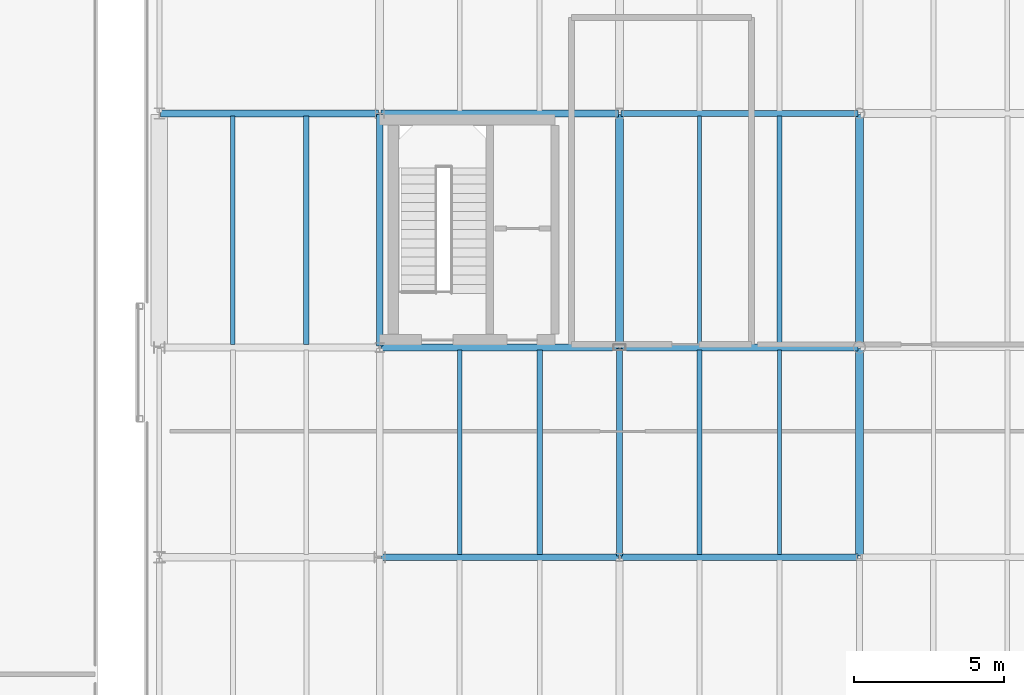
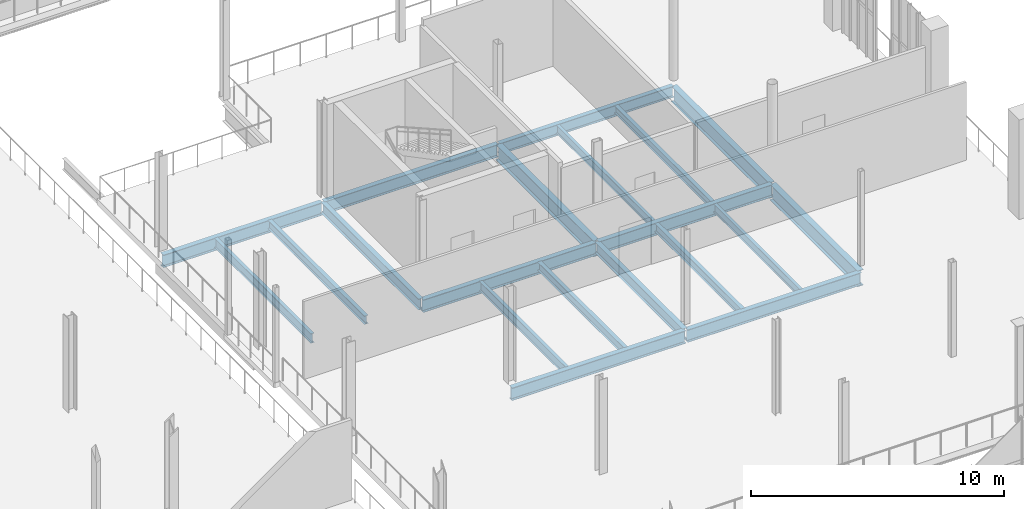
# One storey, part 41 of 93: 20 beams.
"""IFC4 building model written with IfcOpenShell, lengths in metres."""

from ifc_helpers import new_model, si_unit, direction, frame, origin, origin_2d, place, context, subcontext, project, spatial, i_section, extrude, material, material_profile, profile_set, type_object, element, save


model = new_model("IFC4")

# Units and contexts
model_context = context("Model", 3, precision=1e-05, world=origin(), true_north=direction((0.0, 1.0)))
body_context = subcontext(model_context, "Body", "Model", "MODEL_VIEW")
ifc_project = project(units=[si_unit("LENGTHUNIT", "METRE"), si_unit("AREAUNIT", "SQUARE_METRE"), si_unit("VOLUMEUNIT", "CUBIC_METRE"), si_unit("PLANEANGLEUNIT", "RADIAN"), si_unit("MASSUNIT", "GRAM", prefix="KILO")], contexts=[model_context])

# Site, building, storey
site_placement = place(None, origin())
site = spatial("IfcSite", under=ifc_project, at=site_placement, CompositionType="ELEMENT")
building_placement = place(site_placement, origin())
building = spatial("IfcBuilding", under=site, at=building_placement, Name="Brisemont Oceanarium", CompositionType="ELEMENT")
storey_placement = place(building_placement, frame((0.0, 0.0, 5.39990234375)))
storey = spatial("IfcBuildingStorey", under=building, at=storey_placement, Name="L01", CompositionType="ELEMENT", Elevation=5.39990234375)

# Beams
ifc_material_1 = material(Name="Structural Steel ASTM A992 Gr.50", Category="steel")
ifc_material_profile_1 = material_profile(ifc_material_1, i_section(OverallWidth=0.1708984375, OverallDepth=0.35107421875, WebThickness=0.0068359375, FlangeThickness=0.009765625, FilletRadius=0.010009765625, at=origin_2d()), Name="W14X30")
ifc_profile_set_1 = profile_set([ifc_material_profile_1], Name="Structural Steel ASTM A992 Gr.50")
beam_type_1 = type_object("IfcBeamType", Name="BM-W14X30", PredefinedType="JOIST", material=ifc_profile_set_1)
beam_1_placement = place(storey_placement, frame((133.333251953125, 56.090087890625, -0.475341796875), z_axis=(0.0, 1.0, 0.0), x_axis=(-1.0, 0.0, 0.0)))
element("IfcBeam", 1, at=beam_1_placement, inside=storey, type_object=beam_type_1, Name="V5E L01 secondary floor beam", PredefinedType="JOIST", context=body_context, shape_type="SweptSolid", body=[
    extrude(i_section(OverallWidth=0.1708984375, OverallDepth=0.35107421875, WebThickness=0.0068359375, FlangeThickness=0.009765625, FilletRadius=0.010009765625, at=origin_2d()), origin(), (0.0, 0.0, 1.0), 7.619873046875),
])
ifc_material_2 = material(Name="Structural Steel ASTM A992 Gr.50", Category="steel")
ifc_material_profile_2 = material_profile(ifc_material_2, i_section(OverallWidth=0.139892578125, OverallDepth=0.39892578125, WebThickness=0.00634765625, FlangeThickness=0.0087890625, FilletRadius=0.010009765625, at=origin_2d()), Name="W16X26")
ifc_profile_set_2 = profile_set([ifc_material_profile_2], Name="Structural Steel ASTM A992 Gr.50")
beam_type_2 = type_object("IfcBeamType", Name="BM-W16X26", PredefinedType="JOIST", material=ifc_profile_set_2)
beam_2_placement = place(storey_placement, frame((133.333251953125, 49.090087890625, -0.49951171875), z_axis=(0.0, 1.0, 0.0), x_axis=(-1.0, 0.0, 0.0)))
element("IfcBeam", 2, at=beam_2_placement, inside=storey, type_object=beam_type_2, Name="V5E L01 secondary floor beam", PredefinedType="JOIST", context=body_context, shape_type="SweptSolid", body=[
    extrude(i_section(OverallWidth=0.139892578125, OverallDepth=0.39892578125, WebThickness=0.00634765625, FlangeThickness=0.0087890625, FilletRadius=0.010009765625, at=origin_2d()), origin(), (0.0, 0.0, 1.0), 6.81982421875),
])
beam_3_placement = place(storey_placement, frame((130.666748046875, 56.090087890625, -0.49951171875), z_axis=(0.0, 1.0, 0.0), x_axis=(-1.0, 0.0, 0.0)))
element("IfcBeam", 3, at=beam_3_placement, inside=storey, type_object=beam_type_2, Name="V5E L01 secondary floor beam", PredefinedType="JOIST", context=body_context, shape_type="SweptSolid", body=[
    extrude(i_section(OverallWidth=0.139892578125, OverallDepth=0.39892578125, WebThickness=0.00634765625, FlangeThickness=0.0087890625, FilletRadius=0.010009765625, at=origin_2d()), origin(), (0.0, 0.0, 1.0), 7.619873046875),
])
ifc_material_3 = material(Name="Structural Steel ASTM A992 Gr.50", Category="steel")
ifc_material_profile_3 = material_profile(ifc_material_3, i_section(OverallWidth=0.177978515625, OverallDepth=0.404052734375, WebThickness=0.007568359375, FlangeThickness=0.010986328125, FilletRadius=0.010009765625, at=origin_2d()), Name="W16X36")
ifc_profile_set_3 = profile_set([ifc_material_profile_3], Name="Structural Steel ASTM A992 Gr.50")
beam_type_3 = type_object("IfcBeamType", Name="BM-W16X36", PredefinedType="JOIST", material=ifc_profile_set_3)
beam_4_placement = place(storey_placement, frame((117.550048828125, 56.090087890625, -0.501953125), z_axis=(0.0, 1.0, 0.0), x_axis=(-1.0, 0.0, 0.0)))
element("IfcBeam", 4, at=beam_4_placement, inside=storey, type_object=beam_type_3, Name="V5E L01 secondary floor beam", PredefinedType="JOIST", context=body_context, shape_type="SweptSolid", body=[
    extrude(i_section(OverallWidth=0.177978515625, OverallDepth=0.404052734375, WebThickness=0.007568359375, FlangeThickness=0.010986328125, FilletRadius=0.010009765625, at=origin_2d()), origin(), (0.0, 0.0, 1.0), 7.619873046875),
])
for number, where, z_axis, x_axis, name in (
    (5, (125.333251953125, 49.090087890625, -0.501953125), (0.0, 1.0, 0.0), (-1.0, 0.0, 0.0), "V5E L01 secondary floor beam"),
    (6, (130.666748046875, 49.090087890625, -0.501953125), (0.0, 1.0, 0.0), (-1.0, 0.0, 0.0), "V5E L01 secondary floor beam"),
):
    element("IfcBeam", number, at=place(storey_placement, frame(where, z_axis=z_axis, x_axis=x_axis)), inside=storey, type_object=beam_type_3, Name=name, PredefinedType="JOIST", context=body_context, shape_type="SweptSolid", body=[
        extrude(i_section(OverallWidth=0.177978515625, OverallDepth=0.404052734375, WebThickness=0.007568359375, FlangeThickness=0.010986328125, FilletRadius=0.010009765625, at=origin_2d()), origin(), (0.0, 0.0, 1.0), 6.81982421875),
    ])
ifc_material_4 = material(Name="Structural Steel ASTM A992 Gr.50", Category="steel")
ifc_material_profile_4 = material_profile(ifc_material_4, i_section(OverallWidth=0.153076171875, OverallDepth=0.455078125, WebThickness=0.008056640625, FlangeThickness=0.01318359375, FilletRadius=0.010986328125, at=origin_2d()), Name="W18X40")
ifc_profile_set_4 = profile_set([ifc_material_profile_4], Name="Structural Steel ASTM A992 Gr.50")
beam_type_4 = type_object("IfcBeamType", Name="BM-W18X40", PredefinedType="JOIST", material=ifc_profile_set_4)
beam_5_placement = place(storey_placement, frame((115.10009765625, 56.090087890625, -0.52734375), z_axis=(0.0, 1.0, 0.0), x_axis=(-1.0, 0.0, 0.0)))
element("IfcBeam", 7, at=beam_5_placement, inside=storey, type_object=beam_type_4, Name="V5E L01 secondary floor beam", PredefinedType="JOIST", context=body_context, shape_type="SweptSolid", body=[
    extrude(i_section(OverallWidth=0.153076171875, OverallDepth=0.455078125, WebThickness=0.008056640625, FlangeThickness=0.01318359375, FilletRadius=0.010986328125, at=origin_2d()), origin(), (0.0, 0.0, 1.0), 7.619873046875),
])
beam_6_placement = place(storey_placement, frame((122.666748046875, 49.090087890625, -0.52734375), z_axis=(0.0, 1.0, 0.0), x_axis=(-1.0, 0.0, 0.0)))
element("IfcBeam", 8, at=beam_6_placement, inside=storey, type_object=beam_type_4, Name="V5E L01 secondary floor beam", PredefinedType="JOIST", context=body_context, shape_type="SweptSolid", body=[
    extrude(i_section(OverallWidth=0.153076171875, OverallDepth=0.455078125, WebThickness=0.008056640625, FlangeThickness=0.01318359375, FilletRadius=0.010986328125, at=origin_2d()), origin(), (0.0, 0.0, 1.0), 6.81982421875),
])
ifc_material_5 = material(Name="Structural Steel ASTM A992 Gr.50", Category="steel")
ifc_material_profile_5 = material_profile(ifc_material_5, i_section(OverallWidth=0.2099609375, OverallDepth=0.532958984375, WebThickness=0.01025390625, FlangeThickness=0.015625, FilletRadius=0.012939453125, at=origin_2d()), Name="W21X62")
ifc_profile_set_5 = profile_set([ifc_material_profile_5], Name="Structural Steel ASTM A992 Gr.50")
beam_type_5 = type_object("IfcBeamType", Name="BM-W21X62", PredefinedType="BEAM", material=ifc_profile_set_5)
beam_7_placement = place(storey_placement, frame((128.0400390625, 63.800048828125, -0.56640625), z_axis=(1.0, 0.0, 0.0), x_axis=(0.0, 1.0, 0.0)))
element("IfcBeam", 9, at=beam_7_placement, inside=storey, type_object=beam_type_5, Name="V5E L01 EW girder", PredefinedType="BEAM", context=body_context, shape_type="SweptSolid", body=[
    extrude(i_section(OverallWidth=0.2099609375, OverallDepth=0.532958984375, WebThickness=0.01025390625, FlangeThickness=0.015625, FilletRadius=0.012939453125, at=origin_2d()), origin(), (0.0, 0.0, 1.0), 7.919921875),
])
beam_8_placement = place(storey_placement, frame((120.0, 56.0400390625, -0.56640625), z_axis=(0.0, 1.0, 0.0), x_axis=(-1.0, 0.0, 0.0)))
element("IfcBeam", 10, at=beam_8_placement, inside=storey, type_object=beam_type_5, Name="V5E L01 NS girder", PredefinedType="BEAM", context=body_context, shape_type="SweptSolid", body=[
    extrude(i_section(OverallWidth=0.2099609375, OverallDepth=0.532958984375, WebThickness=0.01025390625, FlangeThickness=0.015625, FilletRadius=0.012939453125, at=origin_2d()), origin(), (0.0, 0.0, 1.0), 7.719970703125),
])
beam_9_placement = place(storey_placement, frame((128.0, 49.0400390625, -0.56640625), z_axis=(0.0, 1.0, 0.0), x_axis=(-1.0, 0.0, 0.0)))
element("IfcBeam", 11, at=beam_9_placement, inside=storey, type_object=beam_type_5, Name="V5E L01 NS girder", PredefinedType="BEAM", context=body_context, shape_type="SweptSolid", body=[
    extrude(i_section(OverallWidth=0.2099609375, OverallDepth=0.532958984375, WebThickness=0.01025390625, FlangeThickness=0.015625, FilletRadius=0.012939453125, at=origin_2d()), origin(), (0.0, 0.0, 1.0), 6.919921875),
])
ifc_material_6 = material(Name="Structural Steel ASTM A992 Gr.50", Category="steel")
ifc_material_profile_6 = material_profile(ifc_material_6, i_section(OverallWidth=0.22802734375, OverallDepth=0.60205078125, WebThickness=0.010498046875, FlangeThickness=0.014892578125, FilletRadius=0.012939453125, at=origin_2d()), Name="W24X68")
ifc_profile_set_6 = profile_set([ifc_material_profile_6], Name="Structural Steel ASTM A992 Gr.50")
beam_type_6 = type_object("IfcBeamType", Name="BM-W24X68", PredefinedType="BEAM", material=ifc_profile_set_6)
for number, where, z_axis, x_axis, name in (
    (12, (128.0400390625, 56.0, -0.600830078125), (1.0, 0.0, 0.0), (0.0, 1.0, 0.0), "V5E L01 EW girder"),
    (13, (120.0400390625, 63.800048828125, -0.600830078125), (1.0, 0.0, 0.0), (0.0, 1.0, 0.0), "V5E L01 EW girder"),
):
    element("IfcBeam", number, at=place(storey_placement, frame(where, z_axis=z_axis, x_axis=x_axis)), inside=storey, type_object=beam_type_6, Name=name, PredefinedType="BEAM", context=body_context, shape_type="SweptSolid", body=[
        extrude(i_section(OverallWidth=0.22802734375, OverallDepth=0.60205078125, WebThickness=0.010498046875, FlangeThickness=0.014892578125, FilletRadius=0.012939453125, at=origin_2d()), origin(), (0.0, 0.0, 1.0), 7.919921875),
    ])
ifc_material_7 = material(Name="Structural Steel ASTM A992 Gr.50", Category="steel")
ifc_material_profile_7 = material_profile(ifc_material_7, i_section(OverallWidth=0.22802734375, OverallDepth=0.60791015625, WebThickness=0.01123046875, FlangeThickness=0.017333984375, FilletRadius=0.012939453125, at=origin_2d()), Name="W24X76")
ifc_profile_set_7 = profile_set([ifc_material_profile_7], Name="Structural Steel ASTM A992 Gr.50")
beam_type_7 = type_object("IfcBeamType", Name="BM-W24X76", PredefinedType="BEAM", material=ifc_profile_set_7)
for number, where, z_axis, x_axis, name in (
    (14, (128.0400390625, 49.0, -0.60400390625), (1.0, 0.0, 0.0), (0.0, 1.0, 0.0), "V5E L01 EW girder"),
    (15, (120.0400390625, 56.0, -0.60400390625), (1.0, 0.0, 0.0), (0.0, 1.0, 0.0), "V5E L01 EW girder"),
):
    element("IfcBeam", number, at=place(storey_placement, frame(where, z_axis=z_axis, x_axis=x_axis)), inside=storey, type_object=beam_type_7, Name=name, PredefinedType="BEAM", context=body_context, shape_type="SweptSolid", body=[
        extrude(i_section(OverallWidth=0.22802734375, OverallDepth=0.60791015625, WebThickness=0.01123046875, FlangeThickness=0.017333984375, FilletRadius=0.012939453125, at=origin_2d()), origin(), (0.0, 0.0, 1.0), 7.919921875),
    ])
beam_10_placement = place(storey_placement, frame((112.68994140625, 63.800048828125, -0.60400390625), z_axis=(1.0, 0.0, 0.0), x_axis=(0.0, 1.0, 0.0)))
element("IfcBeam", 16, at=beam_10_placement, inside=storey, type_object=beam_type_7, Name="V5E L01 EW girder", PredefinedType="BEAM", context=body_context, shape_type="SweptSolid", body=[
    extrude(i_section(OverallWidth=0.22802734375, OverallDepth=0.60791015625, WebThickness=0.01123046875, FlangeThickness=0.017333984375, FilletRadius=0.012939453125, at=origin_2d()), origin(), (0.0, 0.0, 1.0), 7.27001953125),
])
ifc_material_8 = material(Name="Structural Steel ASTM A992 Gr.50", Category="steel")
ifc_material_profile_8 = material_profile(ifc_material_8, i_section(OverallWidth=0.22900390625, OverallDepth=0.612060546875, WebThickness=0.011962890625, FlangeThickness=0.01953125, FilletRadius=0.012939453125, at=origin_2d()), Name="W24X84")
ifc_profile_set_8 = profile_set([ifc_material_profile_8], Name="Structural Steel ASTM A992 Gr.50")
beam_type_8 = type_object("IfcBeamType", Name="BM-W24X84", PredefinedType="BEAM", material=ifc_profile_set_8)
beam_11_placement = place(storey_placement, frame((120.0400390625, 49.0, -0.60595703125), z_axis=(1.0, 0.0, 0.0), x_axis=(0.0, 1.0, 0.0)))
element("IfcBeam", 17, at=beam_11_placement, inside=storey, type_object=beam_type_8, Name="V5E L01 EW girder", PredefinedType="BEAM", context=body_context, shape_type="SweptSolid", body=[
    extrude(i_section(OverallWidth=0.22900390625, OverallDepth=0.612060546875, WebThickness=0.011962890625, FlangeThickness=0.01953125, FilletRadius=0.012939453125, at=origin_2d()), origin(), (0.0, 0.0, 1.0), 7.919921875),
])
ifc_material_9 = material(Name="Structural Steel ASTM A992 Gr.50", Category="steel")
ifc_material_profile_9 = material_profile(ifc_material_9, i_section(OverallWidth=0.26708984375, OverallDepth=0.761962890625, WebThickness=0.014404296875, FlangeThickness=0.021484375, FilletRadius=0.01611328125, at=origin_2d()), Name="W30X116")
ifc_profile_set_9 = profile_set([ifc_material_profile_9], Name="Structural Steel ASTM A992 Gr.50")
beam_type_9 = type_object("IfcBeamType", Name="BM-W30X116", PredefinedType="BEAM", material=ifc_profile_set_9)
beam_12_placement = place(storey_placement, frame((128.0, 56.0400390625, -0.680908203125), z_axis=(0.0, 1.0, 0.0), x_axis=(-1.0, 0.0, 0.0)))
element("IfcBeam", 18, at=beam_12_placement, inside=storey, type_object=beam_type_9, Name="V5E L01 NS girder", PredefinedType="BEAM", context=body_context, shape_type="SweptSolid", body=[
    extrude(i_section(OverallWidth=0.26708984375, OverallDepth=0.761962890625, WebThickness=0.014404296875, FlangeThickness=0.021484375, FilletRadius=0.01611328125, at=origin_2d()), origin(), (0.0, 0.0, 1.0), 7.719970703125),
])
beam_13_placement = place(storey_placement, frame((136.0, 49.0400390625, -0.680908203125), z_axis=(0.0, 1.0, 0.0), x_axis=(-1.0, 0.0, 0.0)))
element("IfcBeam", 19, at=beam_13_placement, inside=storey, type_object=beam_type_9, Name="V5E L01 NS girder", PredefinedType="BEAM", context=body_context, shape_type="SweptSolid", body=[
    extrude(i_section(OverallWidth=0.26708984375, OverallDepth=0.761962890625, WebThickness=0.014404296875, FlangeThickness=0.021484375, FilletRadius=0.01611328125, at=origin_2d()), origin(), (0.0, 0.0, 1.0), 6.919921875),
])
ifc_material_10 = material(Name="Structural Steel ASTM A992 Gr.50", Category="steel")
ifc_material_profile_10 = material_profile(ifc_material_10, i_section(OverallWidth=0.264892578125, OverallDepth=0.7529296875, WebThickness=0.01318359375, FlangeThickness=0.01708984375, FilletRadius=0.01611328125, at=origin_2d()), Name="W30X99")
ifc_profile_set_10 = profile_set([ifc_material_profile_10], Name="Structural Steel ASTM A992 Gr.50")
beam_type_10 = type_object("IfcBeamType", Name="BM-W30X99", PredefinedType="BEAM", material=ifc_profile_set_10)
beam_14_placement = place(storey_placement, frame((136.0, 56.0400390625, -0.676513671875), z_axis=(0.0, 1.0, 0.0), x_axis=(-1.0, 0.0, 0.0)))
element("IfcBeam", 20, at=beam_14_placement, inside=storey, type_object=beam_type_10, Name="V5E L01 NS girder", PredefinedType="BEAM", context=body_context, shape_type="SweptSolid", body=[
    extrude(i_section(OverallWidth=0.264892578125, OverallDepth=0.7529296875, WebThickness=0.01318359375, FlangeThickness=0.01708984375, FilletRadius=0.01611328125, at=origin_2d()), origin(), (0.0, 0.0, 1.0), 7.719970703125),
])

save(model, "model.ifc")
